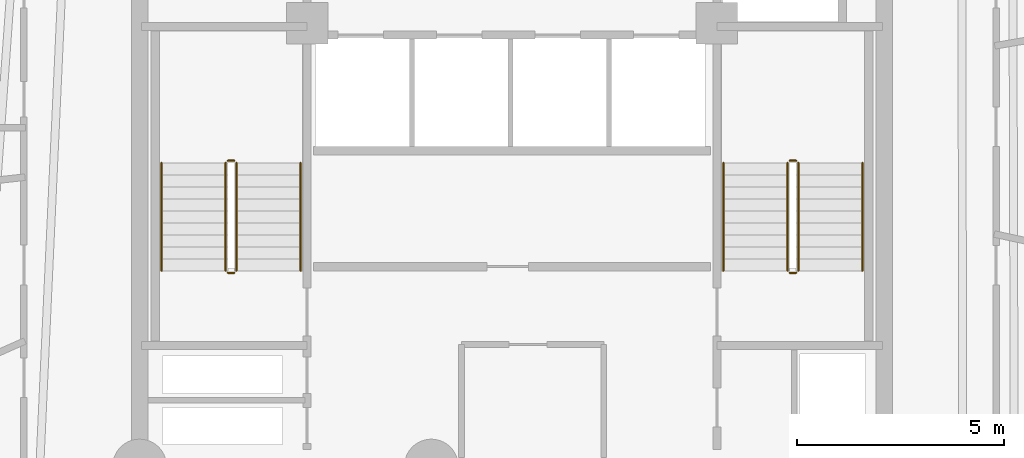
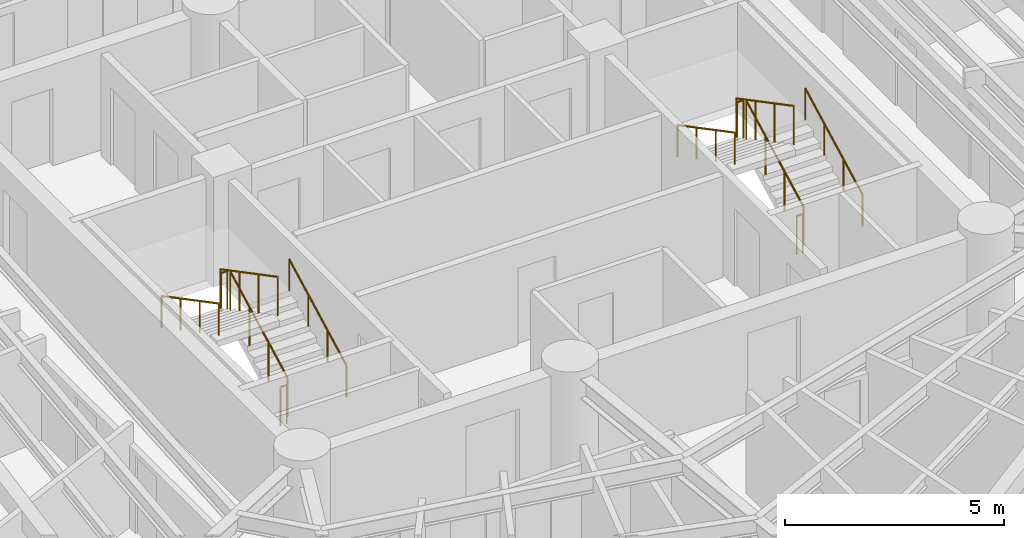
# One storey, part 8 of 8: 12 railings.
"""IFC4 building model written with IfcOpenShell, lengths in metres."""

from ifc_helpers import new_model, si_unit, direction, frame, origin, origin_2d, place, context, subcontext, project, spatial, circle, extrude, material, layer, layer_set, type_object, element, save


model = new_model("IFC4")

# Units and contexts
model_context = context("Model", 3, precision=1e-05, world=origin(), true_north=direction((0.0, 1.0)))
body_context = subcontext(model_context, "Body", "Model", "MODEL_VIEW")
ifc_project = project(units=[si_unit("LENGTHUNIT", "METRE"), si_unit("AREAUNIT", "SQUARE_METRE"), si_unit("VOLUMEUNIT", "CUBIC_METRE"), si_unit("PLANEANGLEUNIT", "RADIAN"), si_unit("MASSUNIT", "GRAM", prefix="KILO")], contexts=[model_context])

# Site, building, storey
site_placement = place(None, origin())
site = spatial("IfcSite", under=ifc_project, at=site_placement, CompositionType="ELEMENT")
building_placement = place(site_placement, origin())
building = spatial("IfcBuilding", under=site, at=building_placement, Name="Karkom Vertical University and Central Library", CompositionType="ELEMENT")
storey_placement = place(building_placement, frame((0.0, 0.0, 168.75)))
storey = spatial("IfcBuildingStorey", under=building, at=storey_placement, Name="L48", CompositionType="ELEMENT", Elevation=168.75)

# Railings
ifc_material_1 = material(Name="Painted galvanised steel balustrade", Category="steel")
ifc_layer_1 = layer(ifc_material_1, 0.06005859375)
ifc_layer_set_1 = layer_set([ifc_layer_1], Name="Painted galvanised steel balustrade")
railing_type_1 = type_object("IfcRailingType", Name="INT-RL-GUARD1100", PredefinedType="GUARDRAIL", material=ifc_layer_set_1)
railing_1_placement = place(storey_placement, frame((21.840087890625, 23.02001953125, 0.152587890625)))
element("IfcRailing", 1, at=railing_1_placement, inside=storey, type_object=railing_type_1, Name="Level 48 ST-1 stair guard 1", PredefinedType="GUARDRAIL", context=body_context, shape_type="SweptSolid", body=[
    extrude(circle(Radius=0.02392578125, at=origin_2d()), frame((0.0, 0.0, 1.076171875), z_axis=(0.0, 0.885099554253, 0.465401739426), x_axis=(-1.0, 0.0, 0.0)), (0.0, 0.0, 1.0), 2.94873046875),
    extrude(circle(Radius=0.02099609375, at=origin_2d()), origin(), (0.0, 0.0, 1.0), 1.052001953125),
    extrude(circle(Radius=0.02099609375, at=origin_2d()), frame((0.0, 0.869873046875, 0.45751953125)), (0.0, 0.0, 1.0), 1.052001953125),
    extrude(circle(Radius=0.02099609375, at=origin_2d()), frame((0.0, 1.739990234375, 0.914794921875)), (0.0, 0.0, 1.0), 1.052001953125),
    extrude(circle(Radius=0.02099609375, at=origin_2d()), frame((0.0, 2.60986328125, 1.372314453125)), (0.0, 0.0, 1.0), 1.052001953125),
])
railing_2_placement = place(storey_placement, frame((21.7900390625, 25.679931640625, 1.52490234375)))
element("IfcRailing", 2, at=railing_2_placement, inside=storey, type_object=railing_type_1, Name="Level 48 ST-1 stair guard 2", PredefinedType="GUARDRAIL", context=body_context, shape_type="SweptSolid", body=[
    extrude(circle(Radius=0.02392578125, at=origin_2d()), frame((0.0, 0.0, 1.076171875), z_axis=(-1.0, 0.0, 0.0), x_axis=(0.0, -1.0, 0.0)), (0.0, 0.0, 1.0), 0.16015625),
    extrude(circle(Radius=0.02099609375, at=origin_2d()), origin(), (0.0, 0.0, 1.0), 1.052001953125),
    extrude(circle(Radius=0.02099609375, at=origin_2d()), frame((-0.16015625, 0.0, 0.0)), (0.0, 0.0, 1.0), 1.052001953125),
])
railing_3_placement = place(storey_placement, frame((21.580078125, 25.6298828125, 1.677490234375)))
element("IfcRailing", 3, at=railing_3_placement, inside=storey, type_object=railing_type_1, Name="Level 48 ST-1 stair guard 3", PredefinedType="GUARDRAIL", context=body_context, shape_type="SweptSolid", body=[
    extrude(circle(Radius=0.02392578125, at=origin_2d()), frame((0.0, 0.0, 1.076171875), z_axis=(0.0, -0.885065446896, 0.46546659892), x_axis=(1.0, 0.0, 0.0)), (0.0, 0.0, 1.0), 2.94873046875),
    extrude(circle(Radius=0.02099609375, at=origin_2d()), origin(), (0.0, 0.0, 1.0), 1.052001953125),
    extrude(circle(Radius=0.02099609375, at=origin_2d()), frame((0.0, -0.869873046875, 0.45751953125)), (0.0, 0.0, 1.0), 1.052001953125),
    extrude(circle(Radius=0.02099609375, at=origin_2d()), frame((0.0, -1.739990234375, 0.9150390625)), (0.0, 0.0, 1.0), 1.052001953125),
    extrude(circle(Radius=0.02099609375, at=origin_2d()), frame((0.0, -2.60986328125, 1.37255859375)), (0.0, 0.0, 1.0), 1.052001953125),
])
railing_4_placement = place(storey_placement, frame((21.7900390625, 22.969970703125, 0.0)))
element("IfcRailing", 4, at=railing_4_placement, inside=storey, type_object=railing_type_1, Name="Level 48 ST-1 stair guard 4", PredefinedType="GUARDRAIL", context=body_context, shape_type="SweptSolid", body=[
    extrude(circle(Radius=0.02392578125, at=origin_2d()), frame((0.0, 0.0, 1.076171875), z_axis=(-1.0, 0.0, 0.0), x_axis=(0.0, -1.0, 0.0)), (0.0, 0.0, 1.0), 0.16015625),
    extrude(circle(Radius=0.02099609375, at=origin_2d()), origin(), (0.0, 0.0, 1.0), 1.052001953125),
    extrude(circle(Radius=0.02099609375, at=origin_2d()), frame((-0.16015625, 0.0, 0.0)), (0.0, 0.0, 1.0), 1.052001953125),
])
railing_5_placement = place(storey_placement, frame((35.419921875, 23.02001953125, 0.152587890625)))
element("IfcRailing", 5, at=railing_5_placement, inside=storey, type_object=railing_type_1, Name="Level 48 ST-2 stair guard 1", PredefinedType="GUARDRAIL", context=body_context, shape_type="SweptSolid", body=[
    extrude(circle(Radius=0.02392578125, at=origin_2d()), frame((0.0, 0.0, 1.076171875), z_axis=(0.0, 0.885099554253, 0.465401739426), x_axis=(-1.0, 0.0, 0.0)), (0.0, 0.0, 1.0), 2.94873046875),
    extrude(circle(Radius=0.02099609375, at=origin_2d()), origin(), (0.0, 0.0, 1.0), 1.052001953125),
    extrude(circle(Radius=0.02099609375, at=origin_2d()), frame((0.0, 0.869873046875, 0.45751953125)), (0.0, 0.0, 1.0), 1.052001953125),
    extrude(circle(Radius=0.02099609375, at=origin_2d()), frame((0.0, 1.739990234375, 0.914794921875)), (0.0, 0.0, 1.0), 1.052001953125),
    extrude(circle(Radius=0.02099609375, at=origin_2d()), frame((0.0, 2.60986328125, 1.372314453125)), (0.0, 0.0, 1.0), 1.052001953125),
])
railing_6_placement = place(storey_placement, frame((35.3701171875, 25.679931640625, 1.52490234375)))
element("IfcRailing", 6, at=railing_6_placement, inside=storey, type_object=railing_type_1, Name="Level 48 ST-2 stair guard 2", PredefinedType="GUARDRAIL", context=body_context, shape_type="SweptSolid", body=[
    extrude(circle(Radius=0.02392578125, at=origin_2d()), frame((0.0, 0.0, 1.076171875), z_axis=(-1.0, 0.0, 0.0), x_axis=(0.0, -1.0, 0.0)), (0.0, 0.0, 1.0), 0.16015625),
    extrude(circle(Radius=0.02099609375, at=origin_2d()), origin(), (0.0, 0.0, 1.0), 1.052001953125),
    extrude(circle(Radius=0.02099609375, at=origin_2d()), frame((-0.16015625, 0.0, 0.0)), (0.0, 0.0, 1.0), 1.052001953125),
])
railing_7_placement = place(storey_placement, frame((35.159912109375, 25.6298828125, 1.677490234375)))
element("IfcRailing", 7, at=railing_7_placement, inside=storey, type_object=railing_type_1, Name="Level 48 ST-2 stair guard 3", PredefinedType="GUARDRAIL", context=body_context, shape_type="SweptSolid", body=[
    extrude(circle(Radius=0.02392578125, at=origin_2d()), frame((0.0, 0.0, 1.076171875), z_axis=(0.0, -0.885065446896, 0.46546659892), x_axis=(1.0, 0.0, 0.0)), (0.0, 0.0, 1.0), 2.94873046875),
    extrude(circle(Radius=0.02099609375, at=origin_2d()), origin(), (0.0, 0.0, 1.0), 1.052001953125),
    extrude(circle(Radius=0.02099609375, at=origin_2d()), frame((0.0, -0.869873046875, 0.45751953125)), (0.0, 0.0, 1.0), 1.052001953125),
    extrude(circle(Radius=0.02099609375, at=origin_2d()), frame((0.0, -1.739990234375, 0.9150390625)), (0.0, 0.0, 1.0), 1.052001953125),
    extrude(circle(Radius=0.02099609375, at=origin_2d()), frame((0.0, -2.60986328125, 1.37255859375)), (0.0, 0.0, 1.0), 1.052001953125),
])
railing_8_placement = place(storey_placement, frame((35.3701171875, 22.969970703125, 0.0)))
element("IfcRailing", 8, at=railing_8_placement, inside=storey, type_object=railing_type_1, Name="Level 48 ST-2 stair guard 4", PredefinedType="GUARDRAIL", context=body_context, shape_type="SweptSolid", body=[
    extrude(circle(Radius=0.02392578125, at=origin_2d()), frame((0.0, 0.0, 1.076171875), z_axis=(-1.0, 0.0, 0.0), x_axis=(0.0, -1.0, 0.0)), (0.0, 0.0, 1.0), 0.16015625),
    extrude(circle(Radius=0.02099609375, at=origin_2d()), origin(), (0.0, 0.0, 1.0), 1.052001953125),
    extrude(circle(Radius=0.02099609375, at=origin_2d()), frame((-0.16015625, 0.0, 0.0)), (0.0, 0.0, 1.0), 1.052001953125),
])
ifc_material_2 = material(Name="Brushed stainless-steel tubular handrail", Category="steel")
ifc_layer_2 = layer(ifc_material_2, 0.048095703125)
ifc_layer_set_2 = layer_set([ifc_layer_2], Name="Brushed stainless-steel tubular handrail")
railing_type_2 = type_object("IfcRailingType", Name="INT-RL-HAND920", PredefinedType="HANDRAIL", material=ifc_layer_set_2)
railing_9_placement = place(storey_placement, frame((23.389892578125, 23.02001953125, 0.152587890625)))
element("IfcRailing", 9, at=railing_9_placement, inside=storey, type_object=railing_type_2, Name="Level 48 ST-1 stair handrail 1", PredefinedType="HANDRAIL", context=body_context, shape_type="SweptSolid", body=[
    extrude(circle(Radius=0.02392578125, at=origin_2d()), frame((0.0, 0.0, 0.8759765625), z_axis=(0.0, 0.885099554253, 0.465401739426), x_axis=(-1.0, 0.0, 0.0)), (0.0, 0.0, 1.0), 2.94873046875),
    extrude(circle(Radius=0.02099609375, at=origin_2d()), origin(), (0.0, 0.0, 1.0), 0.851806640625),
    extrude(circle(Radius=0.02099609375, at=origin_2d()), frame((0.0, 0.869873046875, 0.45751953125)), (0.0, 0.0, 1.0), 0.851806640625),
    extrude(circle(Radius=0.02099609375, at=origin_2d()), frame((0.0, 1.739990234375, 0.914794921875)), (0.0, 0.0, 1.0), 0.851806640625),
    extrude(circle(Radius=0.02099609375, at=origin_2d()), frame((0.0, 2.60986328125, 1.372314453125)), (0.0, 0.0, 1.0), 0.851806640625),
])
railing_10_placement = place(storey_placement, frame((20.030029296875, 25.6298828125, 1.677490234375)))
element("IfcRailing", 10, at=railing_10_placement, inside=storey, type_object=railing_type_2, Name="Level 48 ST-1 stair handrail 2", PredefinedType="HANDRAIL", context=body_context, shape_type="SweptSolid", body=[
    extrude(circle(Radius=0.02392578125, at=origin_2d()), frame((0.0, 0.0, 0.8759765625), z_axis=(0.0, -0.885065446896, 0.46546659892), x_axis=(1.0, 0.0, 0.0)), (0.0, 0.0, 1.0), 2.94873046875),
    extrude(circle(Radius=0.02099609375, at=origin_2d()), origin(), (0.0, 0.0, 1.0), 0.851806640625),
    extrude(circle(Radius=0.02099609375, at=origin_2d()), frame((0.0, -0.869873046875, 0.45751953125)), (0.0, 0.0, 1.0), 0.851806640625),
    extrude(circle(Radius=0.02099609375, at=origin_2d()), frame((0.0, -1.739990234375, 0.9150390625)), (0.0, 0.0, 1.0), 0.851806640625),
    extrude(circle(Radius=0.02099609375, at=origin_2d()), frame((0.0, -2.60986328125, 1.37255859375)), (0.0, 0.0, 1.0), 0.851806640625),
])
railing_11_placement = place(storey_placement, frame((36.969970703125, 23.02001953125, 0.152587890625)))
element("IfcRailing", 11, at=railing_11_placement, inside=storey, type_object=railing_type_2, Name="Level 48 ST-2 stair handrail 1", PredefinedType="HANDRAIL", context=body_context, shape_type="SweptSolid", body=[
    extrude(circle(Radius=0.02392578125, at=origin_2d()), frame((0.0, 0.0, 0.8759765625), z_axis=(0.0, 0.885099554253, 0.465401739426), x_axis=(-1.0, 0.0, 0.0)), (0.0, 0.0, 1.0), 2.94873046875),
    extrude(circle(Radius=0.02099609375, at=origin_2d()), origin(), (0.0, 0.0, 1.0), 0.851806640625),
    extrude(circle(Radius=0.02099609375, at=origin_2d()), frame((0.0, 0.869873046875, 0.45751953125)), (0.0, 0.0, 1.0), 0.851806640625),
    extrude(circle(Radius=0.02099609375, at=origin_2d()), frame((0.0, 1.739990234375, 0.914794921875)), (0.0, 0.0, 1.0), 0.851806640625),
    extrude(circle(Radius=0.02099609375, at=origin_2d()), frame((0.0, 2.60986328125, 1.372314453125)), (0.0, 0.0, 1.0), 0.851806640625),
])
railing_12_placement = place(storey_placement, frame((33.610107421875, 25.6298828125, 1.677490234375)))
element("IfcRailing", 12, at=railing_12_placement, inside=storey, type_object=railing_type_2, Name="Level 48 ST-2 stair handrail 2", PredefinedType="HANDRAIL", context=body_context, shape_type="SweptSolid", body=[
    extrude(circle(Radius=0.02392578125, at=origin_2d()), frame((0.0, 0.0, 0.8759765625), z_axis=(0.0, -0.885065446896, 0.46546659892), x_axis=(1.0, 0.0, 0.0)), (0.0, 0.0, 1.0), 2.94873046875),
    extrude(circle(Radius=0.02099609375, at=origin_2d()), origin(), (0.0, 0.0, 1.0), 0.851806640625),
    extrude(circle(Radius=0.02099609375, at=origin_2d()), frame((0.0, -0.869873046875, 0.45751953125)), (0.0, 0.0, 1.0), 0.851806640625),
    extrude(circle(Radius=0.02099609375, at=origin_2d()), frame((0.0, -1.739990234375, 0.9150390625)), (0.0, 0.0, 1.0), 0.851806640625),
    extrude(circle(Radius=0.02099609375, at=origin_2d()), frame((0.0, -2.60986328125, 1.37255859375)), (0.0, 0.0, 1.0), 0.851806640625),
])

save(model, "model.ifc")
